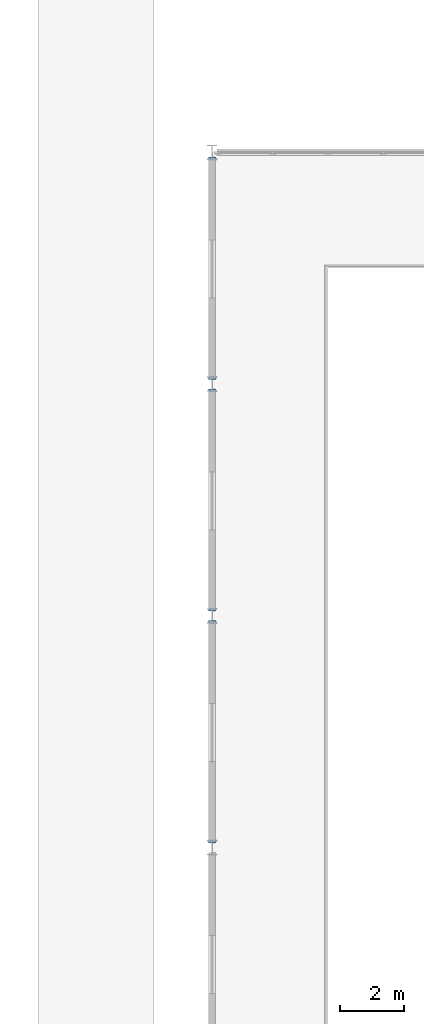
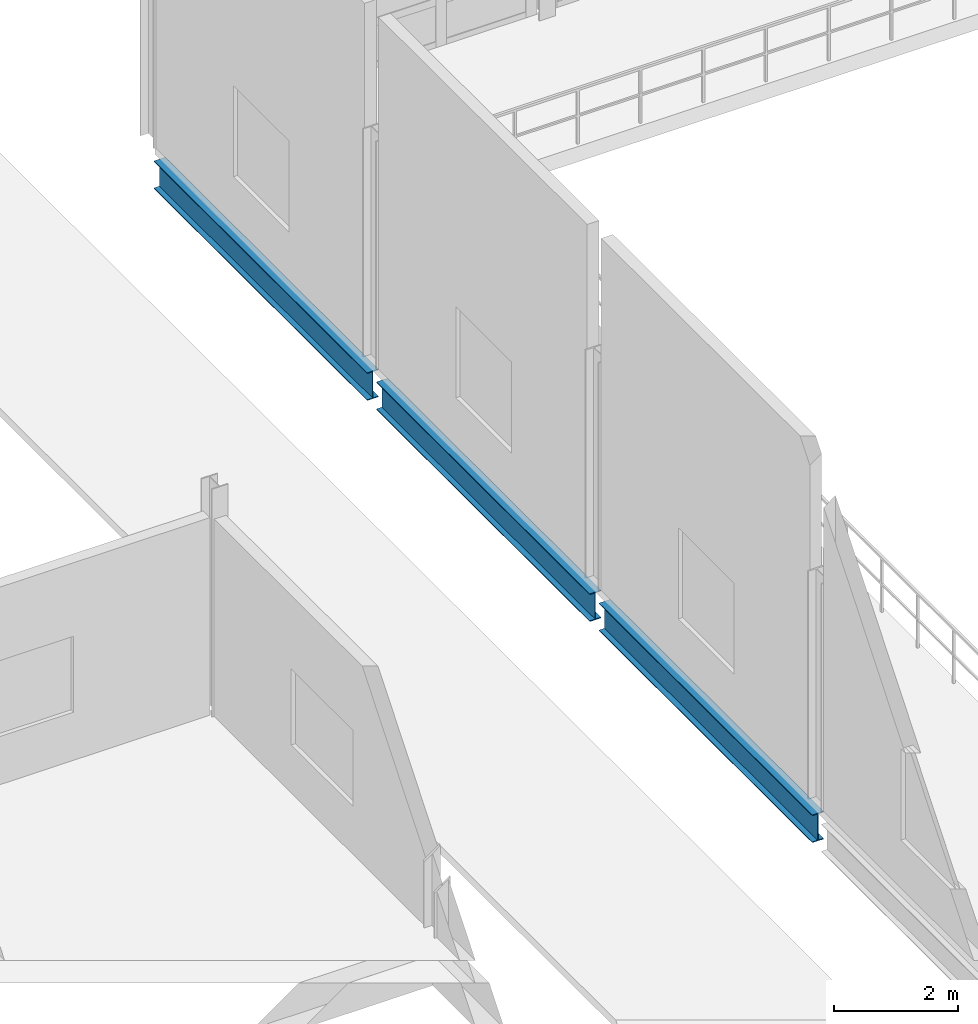
# One storey, part 34 of 110: 3 beams.
"""IFC4 building model written with IfcOpenShell, lengths in metres."""

from ifc_helpers import new_model, si_unit, direction, frame, origin, origin_2d, place, context, subcontext, project, spatial, i_section, extrude, material, material_profile, profile_set, type_object, element, save


model = new_model("IFC4")

# Units and contexts
model_context = context("Model", 3, precision=1e-05, world=origin(), true_north=direction((0.0, 1.0)))
body_context = subcontext(model_context, "Body", "Model", "MODEL_VIEW")
ifc_project = project(units=[si_unit("LENGTHUNIT", "METRE"), si_unit("AREAUNIT", "SQUARE_METRE"), si_unit("VOLUMEUNIT", "CUBIC_METRE"), si_unit("PLANEANGLEUNIT", "RADIAN"), si_unit("MASSUNIT", "GRAM", prefix="KILO")], contexts=[model_context])

# Site, building, storey
site_placement = place(None, origin())
site = spatial("IfcSite", under=ifc_project, at=site_placement, CompositionType="ELEMENT")
building_placement = place(site_placement, origin())
building = spatial("IfcBuilding", under=site, at=building_placement, Name="Suanplinth Sawtooth Commons", CompositionType="ELEMENT")
storey_placement = place(building_placement, frame((0.0, 0.0, 4.5)))
storey = spatial("IfcBuildingStorey", under=building, at=storey_placement, Name="L01", CompositionType="ELEMENT", Elevation=4.5)

# Beams
ifc_material = material(Name="Steel S355JR", Category="steel")
ifc_material_profile = material_profile(ifc_material, i_section(OverallWidth=0.2099609375, OverallDepth=0.550048828125, WebThickness=0.010986328125, FlangeThickness=0.01708984375, at=origin_2d()), Name="IPE 550")
ifc_profile_set = profile_set([ifc_material_profile], Name="Steel S355JR")
beam_type = type_object("IfcBeamType", Name="B-10", PredefinedType="USERDEFINED", material=ifc_profile_set)
for number, where, z_axis, x_axis, name in (
    (1, (64.800048828125, 64.949951171875, -0.574951171875), (0.0, 1.0, 0.0), (-1.0, 0.0, 0.0), "BMY-L01-HALL-9-9"),
    (2, (64.800048828125, 72.14990234375, -0.574951171875), (0.0, 1.0, 0.0), (-1.0, 0.0, 0.0), "BMY-L01-HALL-9-10"),
):
    element("IfcBeam", number, at=place(storey_placement, frame(where, z_axis=z_axis, x_axis=x_axis)), inside=storey, type_object=beam_type, Name=name, ObjectType="GIRDER", PredefinedType="USERDEFINED", context=body_context, shape_type="SweptSolid", body=[
        extrude(i_section(OverallWidth=0.2099609375, OverallDepth=0.550048828125, WebThickness=0.010986328125, FlangeThickness=0.01708984375, at=origin_2d()), origin(), (0.0, 0.0, 1.0), 6.900146484375),
    ])
beam_placement = place(storey_placement, frame((64.800048828125, 79.35009765625, -0.574951171875), z_axis=(0.0, 1.0, 0.0), x_axis=(-1.0, 0.0, 0.0)))
element("IfcBeam", 3, at=beam_placement, inside=storey, type_object=beam_type, Name="BMY-L01-HALL-9-11", ObjectType="GIRDER", PredefinedType="USERDEFINED", context=body_context, shape_type="SweptSolid", body=[
    extrude(i_section(OverallWidth=0.2099609375, OverallDepth=0.550048828125, WebThickness=0.010986328125, FlangeThickness=0.01708984375, at=origin_2d()), origin(), (0.0, 0.0, 1.0), 6.89990234375),
])

save(model, "model.ifc")
